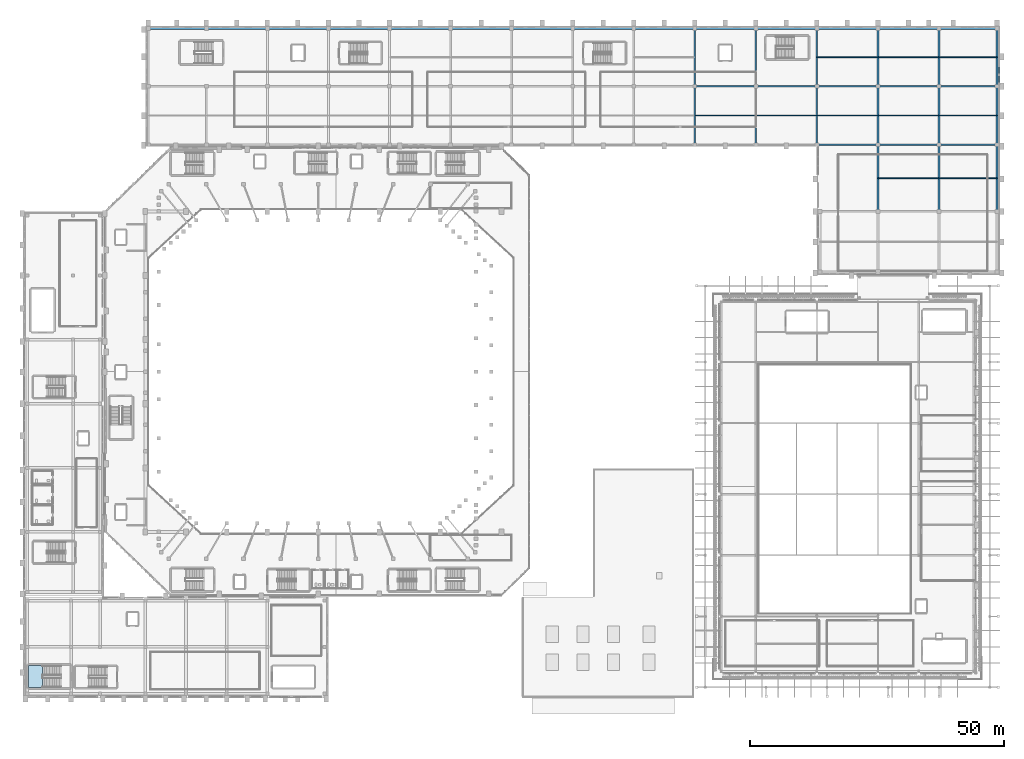
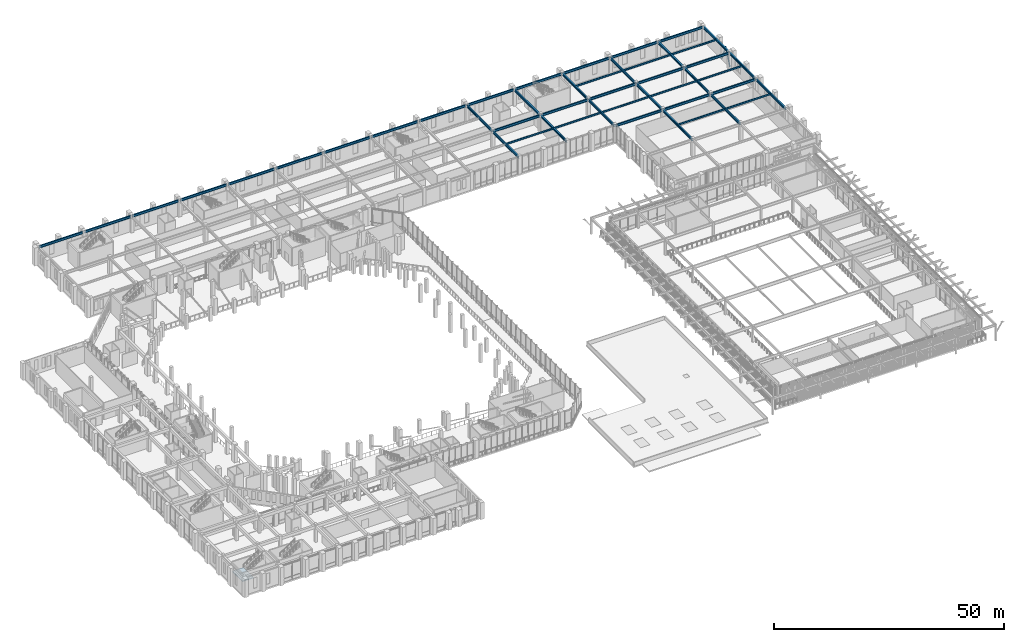
# One storey, part 64 of 126: 47 beams, 2 members, 1 slab, 1 element without a shape of its own.
"""IFC4 building model written with IfcOpenShell, lengths in metres."""

from ifc_helpers import new_model, si_unit, derived_unit, direction, frame, origin, origin_2d, place, context, subcontext, project, spatial, polyline, hollow_rectangle, i_section, outline, extrude, material, layer, layer_set, material_profile, profile_set, type_object, element, aggregate, save


model = new_model("IFC4")

# Units and contexts
model_context = context("Model", 3, precision=1e-05, world=origin(), true_north=direction((0.0, 1.0)))
body_context = subcontext(model_context, "Body", "Model", "MODEL_VIEW")
ifc_project = project(units=[si_unit("LENGTHUNIT", "METRE"), si_unit("AREAUNIT", "SQUARE_METRE"), si_unit("VOLUMEUNIT", "CUBIC_METRE"), si_unit("PLANEANGLEUNIT", "RADIAN"), si_unit("MASSUNIT", "GRAM", prefix="KILO"), derived_unit("THERMALTRANSMITTANCEUNIT", [(si_unit("MASSUNIT", "GRAM", prefix="KILO"), 1), (si_unit("TIMEUNIT", "SECOND"), -3), (si_unit("THERMODYNAMICTEMPERATUREUNIT", "KELVIN"), -1)])], contexts=[model_context])

# Site, building, storey
site_placement = place(None, origin())
site = spatial("IfcSite", under=ifc_project, at=site_placement, CompositionType="ELEMENT")
building_placement = place(site_placement, origin())
building = spatial("IfcBuilding", under=site, at=building_placement, Name="Valcora Ridge Arena", CompositionType="ELEMENT")
storey_placement = place(building_placement, frame((0.0, 0.0, 11.39990234375)))
storey = spatial("IfcBuildingStorey", under=building, at=storey_placement, Name="L02", CompositionType="ELEMENT", Elevation=11.39990234375)

# Beams
ifc_material_1 = material(Name="Steel ASTM A572 Grade 50", Category="steel")
ifc_material_profile_1 = material_profile(ifc_material_1, i_section(OverallWidth=0.324951171875, OverallDepth=0.612060546875, WebThickness=0.0126953125, FlangeThickness=0.01904296875, FilletRadius=0.01806640625, at=origin_2d()), Name="W24X104")
ifc_profile_set_1 = profile_set([ifc_material_profile_1], Name="Steel ASTM A572 Grade 50")
beam_type_1 = type_object("IfcBeamType", Name="TY-BEAM-G-W24X104-X", PredefinedType="BEAM", material=ifc_profile_set_1)
for number, where, z_axis, x_axis, name in (
    (1, (156.139892578125, 108.699951171875, 4.14404296875), (1.0, 0.0, 0.0), (0.0, 1.0, 0.0), "G-W24X104-X BEM-G-W24X104-X-0077"),
    (2, (168.139892578125, 108.699951171875, 4.14404296875), (1.0, 0.0, 0.0), (0.0, 1.0, 0.0), "G-W24X104-X BEM-G-W24X104-X-0078"),
):
    element("IfcBeam", number, at=place(storey_placement, frame(where, z_axis=z_axis, x_axis=x_axis)), inside=storey, type_object=beam_type_1, Name=name, PredefinedType="BEAM", context=body_context, shape_type="SweptSolid", body=[
        extrude(i_section(OverallWidth=0.324951171875, OverallDepth=0.612060546875, WebThickness=0.0126953125, FlangeThickness=0.01904296875, FilletRadius=0.01806640625, at=origin_2d()), origin(), (0.0, 0.0, 1.0), 11.72021484375),
    ])
beam_1_placement = place(storey_placement, frame((180.139892578125, 108.699951171875, 4.14404296875), z_axis=(1.0, 0.0, 0.0), x_axis=(0.0, 1.0, 0.0)))
element("IfcBeam", 3, at=beam_1_placement, inside=storey, type_object=beam_type_1, Name="G-W24X104-X BEM-G-W24X104-X-0079", PredefinedType="BEAM", context=body_context, shape_type="SweptSolid", body=[
    extrude(i_section(OverallWidth=0.324951171875, OverallDepth=0.612060546875, WebThickness=0.0126953125, FlangeThickness=0.01904296875, FilletRadius=0.01806640625, at=origin_2d()), origin(), (0.0, 0.0, 1.0), 11.1201171875),
])
for number, where, z_axis, x_axis, name in (
    (4, (132.139892578125, 120.199951171875, 4.14404296875), (1.0, 0.0, 0.0), (0.0, 1.0, 0.0), "G-W24X104-X BEM-G-W24X104-X-0089"),
    (5, (144.139892578125, 120.199951171875, 4.14404296875), (1.0, 0.0, 0.0), (0.0, 1.0, 0.0), "G-W24X104-X BEM-G-W24X104-X-0090"),
    (6, (156.139892578125, 120.199951171875, 4.14404296875), (1.0, 0.0, 0.0), (0.0, 1.0, 0.0), "G-W24X104-X BEM-G-W24X104-X-0091"),
    (7, (168.139892578125, 120.199951171875, 4.14404296875), (1.0, 0.0, 0.0), (0.0, 1.0, 0.0), "G-W24X104-X BEM-G-W24X104-X-0092"),
):
    element("IfcBeam", number, at=place(storey_placement, frame(where, z_axis=z_axis, x_axis=x_axis)), inside=storey, type_object=beam_type_1, Name=name, PredefinedType="BEAM", context=body_context, shape_type="SweptSolid", body=[
        extrude(i_section(OverallWidth=0.324951171875, OverallDepth=0.612060546875, WebThickness=0.0126953125, FlangeThickness=0.01904296875, FilletRadius=0.01806640625, at=origin_2d()), origin(), (0.0, 0.0, 1.0), 11.72021484375),
    ])
beam_2_placement = place(storey_placement, frame((180.139892578125, 120.199951171875, 4.14404296875), z_axis=(1.0, 0.0, 0.0), x_axis=(0.0, 1.0, 0.0)))
element("IfcBeam", 8, at=beam_2_placement, inside=storey, type_object=beam_type_1, Name="G-W24X104-X BEM-G-W24X104-X-0093", PredefinedType="BEAM", context=body_context, shape_type="SweptSolid", body=[
    extrude(i_section(OverallWidth=0.324951171875, OverallDepth=0.612060546875, WebThickness=0.0126953125, FlangeThickness=0.01904296875, FilletRadius=0.01806640625, at=origin_2d()), origin(), (0.0, 0.0, 1.0), 11.1201171875),
])
ifc_material_profile_2 = material_profile(ifc_material_1, i_section(OverallWidth=0.324951171875, OverallDepth=0.612060546875, WebThickness=0.0126953125, FlangeThickness=0.01904296875, FilletRadius=0.01806640625, at=origin_2d()), Name="W24X104")
ifc_profile_set_2 = profile_set([ifc_material_profile_2], Name="Steel ASTM A572 Grade 50")
beam_type_2 = type_object("IfcBeamType", Name="TY-BEAM-G-W24X104-Y", PredefinedType="BEAM", material=ifc_profile_set_2)
beam_3_placement = place(storey_placement, frame((132.0, 108.840087890625, 4.14404296875), z_axis=(0.0, 1.0, 0.0), x_axis=(-1.0, 0.0, 0.0)))
element("IfcBeam", 9, at=beam_3_placement, inside=storey, type_object=beam_type_2, Name="G-W24X104-Y BEM-G-W24X104-Y-0090", PredefinedType="BEAM", context=body_context, shape_type="SweptSolid", body=[
    extrude(i_section(OverallWidth=0.324951171875, OverallDepth=0.612060546875, WebThickness=0.0126953125, FlangeThickness=0.01904296875, FilletRadius=0.01806640625, at=origin_2d()), origin(), (0.0, 0.0, 1.0), 11.219970703125),
])
beam_4_placement = place(storey_placement, frame((132.0, 120.340087890625, 4.14404296875), z_axis=(0.0, 1.0, 0.0), x_axis=(-1.0, 0.0, 0.0)))
element("IfcBeam", 10, at=beam_4_placement, inside=storey, type_object=beam_type_2, Name="G-W24X104-Y BEM-G-W24X104-Y-0091", PredefinedType="BEAM", context=body_context, shape_type="SweptSolid", body=[
    extrude(i_section(OverallWidth=0.324951171875, OverallDepth=0.612060546875, WebThickness=0.0126953125, FlangeThickness=0.01904296875, FilletRadius=0.01806640625, at=origin_2d()), origin(), (0.0, 0.0, 1.0), 11.06982421875),
])
beam_5_placement = place(storey_placement, frame((144.0, 108.840087890625, 4.14404296875), z_axis=(0.0, 1.0, 0.0), x_axis=(-1.0, 0.0, 0.0)))
element("IfcBeam", 11, at=beam_5_placement, inside=storey, type_object=beam_type_2, Name="G-W24X104-Y BEM-G-W24X104-Y-0092", PredefinedType="BEAM", context=body_context, shape_type="SweptSolid", body=[
    extrude(i_section(OverallWidth=0.324951171875, OverallDepth=0.612060546875, WebThickness=0.0126953125, FlangeThickness=0.01904296875, FilletRadius=0.01806640625, at=origin_2d()), origin(), (0.0, 0.0, 1.0), 11.219970703125),
])
beam_6_placement = place(storey_placement, frame((144.0, 120.340087890625, 4.14404296875), z_axis=(0.0, 1.0, 0.0), x_axis=(-1.0, 0.0, 0.0)))
element("IfcBeam", 12, at=beam_6_placement, inside=storey, type_object=beam_type_2, Name="G-W24X104-Y BEM-G-W24X104-Y-0093", PredefinedType="BEAM", context=body_context, shape_type="SweptSolid", body=[
    extrude(i_section(OverallWidth=0.324951171875, OverallDepth=0.612060546875, WebThickness=0.0126953125, FlangeThickness=0.01904296875, FilletRadius=0.01806640625, at=origin_2d()), origin(), (0.0, 0.0, 1.0), 11.06982421875),
])
beam_7_placement = place(storey_placement, frame((156.0, 108.840087890625, 4.14404296875), z_axis=(0.0, 1.0, 0.0), x_axis=(-1.0, 0.0, 0.0)))
element("IfcBeam", 13, at=beam_7_placement, inside=storey, type_object=beam_type_2, Name="G-W24X104-Y BEM-G-W24X104-Y-0094", PredefinedType="BEAM", context=body_context, shape_type="SweptSolid", body=[
    extrude(i_section(OverallWidth=0.324951171875, OverallDepth=0.612060546875, WebThickness=0.0126953125, FlangeThickness=0.01904296875, FilletRadius=0.01806640625, at=origin_2d()), origin(), (0.0, 0.0, 1.0), 11.219970703125),
])
beam_8_placement = place(storey_placement, frame((156.0, 120.340087890625, 4.14404296875), z_axis=(0.0, 1.0, 0.0), x_axis=(-1.0, 0.0, 0.0)))
element("IfcBeam", 14, at=beam_8_placement, inside=storey, type_object=beam_type_2, Name="G-W24X104-Y BEM-G-W24X104-Y-0095", PredefinedType="BEAM", context=body_context, shape_type="SweptSolid", body=[
    extrude(i_section(OverallWidth=0.324951171875, OverallDepth=0.612060546875, WebThickness=0.0126953125, FlangeThickness=0.01904296875, FilletRadius=0.01806640625, at=origin_2d()), origin(), (0.0, 0.0, 1.0), 11.06982421875),
])
beam_9_placement = place(storey_placement, frame((168.0, 95.739990234375, 4.14404296875), z_axis=(0.0, 1.0, 0.0), x_axis=(-1.0, 0.0, 0.0)))
element("IfcBeam", 15, at=beam_9_placement, inside=storey, type_object=beam_type_2, Name="G-W24X104-Y BEM-G-W24X104-Y-0098", PredefinedType="BEAM", context=body_context, shape_type="SweptSolid", body=[
    extrude(i_section(OverallWidth=0.324951171875, OverallDepth=0.612060546875, WebThickness=0.0126953125, FlangeThickness=0.01904296875, FilletRadius=0.01806640625, at=origin_2d()), origin(), (0.0, 0.0, 1.0), 12.820068359375),
])
beam_10_placement = place(storey_placement, frame((168.0, 108.840087890625, 4.14404296875), z_axis=(0.0, 1.0, 0.0), x_axis=(-1.0, 0.0, 0.0)))
element("IfcBeam", 16, at=beam_10_placement, inside=storey, type_object=beam_type_2, Name="G-W24X104-Y BEM-G-W24X104-Y-0099", PredefinedType="BEAM", context=body_context, shape_type="SweptSolid", body=[
    extrude(i_section(OverallWidth=0.324951171875, OverallDepth=0.612060546875, WebThickness=0.0126953125, FlangeThickness=0.01904296875, FilletRadius=0.01806640625, at=origin_2d()), origin(), (0.0, 0.0, 1.0), 11.219970703125),
])
beam_11_placement = place(storey_placement, frame((168.0, 120.340087890625, 4.14404296875), z_axis=(0.0, 1.0, 0.0), x_axis=(-1.0, 0.0, 0.0)))
element("IfcBeam", 17, at=beam_11_placement, inside=storey, type_object=beam_type_2, Name="G-W24X104-Y BEM-G-W24X104-Y-0100", PredefinedType="BEAM", context=body_context, shape_type="SweptSolid", body=[
    extrude(i_section(OverallWidth=0.324951171875, OverallDepth=0.612060546875, WebThickness=0.0126953125, FlangeThickness=0.01904296875, FilletRadius=0.01806640625, at=origin_2d()), origin(), (0.0, 0.0, 1.0), 11.06982421875),
])
beam_12_placement = place(storey_placement, frame((180.0, 95.739990234375, 4.14404296875), z_axis=(0.0, 1.0, 0.0), x_axis=(-1.0, 0.0, 0.0)))
element("IfcBeam", 18, at=beam_12_placement, inside=storey, type_object=beam_type_2, Name="G-W24X104-Y BEM-G-W24X104-Y-0102", PredefinedType="BEAM", context=body_context, shape_type="SweptSolid", body=[
    extrude(i_section(OverallWidth=0.324951171875, OverallDepth=0.612060546875, WebThickness=0.0126953125, FlangeThickness=0.01904296875, FilletRadius=0.01806640625, at=origin_2d()), origin(), (0.0, 0.0, 1.0), 12.820068359375),
])
beam_13_placement = place(storey_placement, frame((180.0, 108.840087890625, 4.14404296875), z_axis=(0.0, 1.0, 0.0), x_axis=(-1.0, 0.0, 0.0)))
element("IfcBeam", 19, at=beam_13_placement, inside=storey, type_object=beam_type_2, Name="G-W24X104-Y BEM-G-W24X104-Y-0103", PredefinedType="BEAM", context=body_context, shape_type="SweptSolid", body=[
    extrude(i_section(OverallWidth=0.324951171875, OverallDepth=0.612060546875, WebThickness=0.0126953125, FlangeThickness=0.01904296875, FilletRadius=0.01806640625, at=origin_2d()), origin(), (0.0, 0.0, 1.0), 11.219970703125),
])
beam_14_placement = place(storey_placement, frame((180.0, 120.340087890625, 4.14404296875), z_axis=(0.0, 1.0, 0.0), x_axis=(-1.0, 0.0, 0.0)))
element("IfcBeam", 20, at=beam_14_placement, inside=storey, type_object=beam_type_2, Name="G-W24X104-Y BEM-G-W24X104-Y-0104", PredefinedType="BEAM", context=body_context, shape_type="SweptSolid", body=[
    extrude(i_section(OverallWidth=0.324951171875, OverallDepth=0.612060546875, WebThickness=0.0126953125, FlangeThickness=0.01904296875, FilletRadius=0.01806640625, at=origin_2d()), origin(), (0.0, 0.0, 1.0), 11.06982421875),
])
beam_15_placement = place(storey_placement, frame((191.39990234375, 95.739990234375, 4.14404296875), z_axis=(0.0, 1.0, 0.0), x_axis=(-1.0, 0.0, 0.0)))
element("IfcBeam", 21, at=beam_15_placement, inside=storey, type_object=beam_type_2, Name="G-W24X104-Y BEM-G-W24X104-Y-0106", PredefinedType="BEAM", context=body_context, shape_type="SweptSolid", body=[
    extrude(i_section(OverallWidth=0.324951171875, OverallDepth=0.612060546875, WebThickness=0.0126953125, FlangeThickness=0.01904296875, FilletRadius=0.01806640625, at=origin_2d()), origin(), (0.0, 0.0, 1.0), 12.820068359375),
])
beam_16_placement = place(storey_placement, frame((191.39990234375, 108.840087890625, 4.14404296875), z_axis=(0.0, 1.0, 0.0), x_axis=(-1.0, 0.0, 0.0)))
element("IfcBeam", 22, at=beam_16_placement, inside=storey, type_object=beam_type_2, Name="G-W24X104-Y BEM-G-W24X104-Y-0107", PredefinedType="BEAM", context=body_context, shape_type="SweptSolid", body=[
    extrude(i_section(OverallWidth=0.324951171875, OverallDepth=0.612060546875, WebThickness=0.0126953125, FlangeThickness=0.01904296875, FilletRadius=0.01806640625, at=origin_2d()), origin(), (0.0, 0.0, 1.0), 11.219970703125),
])
beam_17_placement = place(storey_placement, frame((191.39990234375, 120.340087890625, 4.14404296875), z_axis=(0.0, 1.0, 0.0), x_axis=(-1.0, 0.0, 0.0)))
element("IfcBeam", 23, at=beam_17_placement, inside=storey, type_object=beam_type_2, Name="G-W24X104-Y BEM-G-W24X104-Y-0108", PredefinedType="BEAM", context=body_context, shape_type="SweptSolid", body=[
    extrude(i_section(OverallWidth=0.324951171875, OverallDepth=0.612060546875, WebThickness=0.0126953125, FlangeThickness=0.01904296875, FilletRadius=0.01806640625, at=origin_2d()), origin(), (0.0, 0.0, 1.0), 11.06982421875),
])
ifc_material_profile_3 = material_profile(ifc_material_1, i_section(OverallWidth=0.18994140625, OverallDepth=0.45703125, WebThickness=0.009033203125, FlangeThickness=0.014404296875, FilletRadius=0.014892578125, at=origin_2d()), Name="W18X50")
ifc_profile_set_3 = profile_set([ifc_material_profile_3], Name="Steel ASTM A572 Grade 50")
beam_type_3 = type_object("IfcBeamType", Name="TY-BEAM-J-W18X50", PredefinedType="JOIST", material=ifc_profile_set_3)
for number, where, z_axis, x_axis, name in (
    (24, (132.10009765625, 114.449951171875, 4.2216796875), (1.0, 0.0, 0.0), (0.0, 1.0, 0.0), "J-W18X50 BEM-J-W18X50-0066"),
    (25, (144.10009765625, 114.449951171875, 4.2216796875), (1.0, 0.0, 0.0), (0.0, 1.0, 0.0), "J-W18X50 BEM-J-W18X50-0067"),
    (26, (156.10009765625, 114.449951171875, 4.2216796875), (1.0, 0.0, 0.0), (0.0, 1.0, 0.0), "J-W18X50 BEM-J-W18X50-0068"),
    (27, (156.10009765625, 125.875, 4.2216796875), (1.0, 0.0, 0.0), (0.0, 1.0, 0.0), "J-W18X50 BEM-J-W18X50-0069"),
    (28, (168.10009765625, 102.14990234375, 4.2216796875), (1.0, 0.0, 0.0), (0.0, 1.0, 0.0), "J-W18X50 BEM-J-W18X50-0072"),
    (29, (168.10009765625, 114.449951171875, 4.2216796875), (1.0, 0.0, 0.0), (0.0, 1.0, 0.0), "J-W18X50 BEM-J-W18X50-0073"),
    (30, (168.10009765625, 125.875, 4.2216796875), (1.0, 0.0, 0.0), (0.0, 1.0, 0.0), "J-W18X50 BEM-J-W18X50-0074"),
):
    element("IfcBeam", number, at=place(storey_placement, frame(where, z_axis=z_axis, x_axis=x_axis)), inside=storey, type_object=beam_type_3, Name=name, PredefinedType="JOIST", context=body_context, shape_type="SweptSolid", body=[
        extrude(i_section(OverallWidth=0.18994140625, OverallDepth=0.45703125, WebThickness=0.009033203125, FlangeThickness=0.014404296875, FilletRadius=0.014892578125, at=origin_2d()), origin(), (0.0, 0.0, 1.0), 11.7998046875),
    ])
for number, where, z_axis, x_axis, name in (
    (31, (180.10009765625, 102.14990234375, 4.2216796875), (1.0, 0.0, 0.0), (0.0, 1.0, 0.0), "J-W18X50 BEM-J-W18X50-0076"),
    (32, (180.10009765625, 114.449951171875, 4.2216796875), (1.0, 0.0, 0.0), (0.0, 1.0, 0.0), "J-W18X50 BEM-J-W18X50-0077"),
    (33, (180.10009765625, 125.875, 4.2216796875), (1.0, 0.0, 0.0), (0.0, 1.0, 0.0), "J-W18X50 BEM-J-W18X50-0078"),
):
    element("IfcBeam", number, at=place(storey_placement, frame(where, z_axis=z_axis, x_axis=x_axis)), inside=storey, type_object=beam_type_3, Name=name, PredefinedType="JOIST", context=body_context, shape_type="SweptSolid", body=[
        extrude(i_section(OverallWidth=0.18994140625, OverallDepth=0.45703125, WebThickness=0.009033203125, FlangeThickness=0.014404296875, FilletRadius=0.014892578125, at=origin_2d()), origin(), (0.0, 0.0, 1.0), 11.199951171875),
    ])
ifc_material_profile_4 = material_profile(ifc_material_1, i_section(OverallWidth=0.324951171875, OverallDepth=0.612060546875, WebThickness=0.0126953125, FlangeThickness=0.01904296875, FilletRadius=0.01806640625, at=origin_2d()), Name="W24X104")
ifc_profile_set_4 = profile_set([ifc_material_profile_4], Name="Steel ASTM A572 Grade 50")
beam_type_4 = type_object("IfcBeamType", Name="TY-BEAM-SP-W24X104", PredefinedType="SPANDREL", material=ifc_profile_set_4)
beam_18_placement = place(storey_placement, frame((24.739990234375, 131.550048828125, 4.14404296875), z_axis=(1.0, 0.0, 0.0), x_axis=(0.0, 1.0, 0.0)))
element("IfcBeam", 34, at=beam_18_placement, inside=storey, type_object=beam_type_4, Name="SP-W24X104 BEM-SP-W24X104-0038", PredefinedType="SPANDREL", context=body_context, shape_type="SweptSolid", body=[
    extrude(i_section(OverallWidth=0.324951171875, OverallDepth=0.612060546875, WebThickness=0.0126953125, FlangeThickness=0.01904296875, FilletRadius=0.01806640625, at=origin_2d()), origin(), (0.0, 0.0, 1.0), 11.1201171875),
])
for number, where, z_axis, x_axis, name in (
    (35, (36.139892578125, 131.550048828125, 4.14404296875), (1.0, 0.0, 0.0), (0.0, 1.0, 0.0), "SP-W24X104 BEM-SP-W24X104-0039"),
    (36, (48.139892578125, 131.550048828125, 4.14404296875), (1.0, 0.0, 0.0), (0.0, 1.0, 0.0), "SP-W24X104 BEM-SP-W24X104-0040"),
    (37, (60.139892578125, 131.550048828125, 4.14404296875), (1.0, 0.0, 0.0), (0.0, 1.0, 0.0), "SP-W24X104 BEM-SP-W24X104-0041"),
    (38, (72.139892578125, 131.550048828125, 4.14404296875), (1.0, 0.0, 0.0), (0.0, 1.0, 0.0), "SP-W24X104 BEM-SP-W24X104-0042"),
    (39, (84.139892578125, 131.550048828125, 4.14404296875), (1.0, 0.0, 0.0), (0.0, 1.0, 0.0), "SP-W24X104 BEM-SP-W24X104-0043"),
    (40, (96.139892578125, 131.550048828125, 4.14404296875), (1.0, 0.0, 0.0), (0.0, 1.0, 0.0), "SP-W24X104 BEM-SP-W24X104-0044"),
    (41, (108.139892578125, 131.550048828125, 4.14404296875), (1.0, 0.0, 0.0), (0.0, 1.0, 0.0), "SP-W24X104 BEM-SP-W24X104-0045"),
    (42, (120.139892578125, 131.550048828125, 4.14404296875), (1.0, 0.0, 0.0), (0.0, 1.0, 0.0), "SP-W24X104 BEM-SP-W24X104-0046"),
    (43, (132.139892578125, 131.550048828125, 4.14404296875), (1.0, 0.0, 0.0), (0.0, 1.0, 0.0), "SP-W24X104 BEM-SP-W24X104-0047"),
    (44, (144.139892578125, 131.550048828125, 4.14404296875), (1.0, 0.0, 0.0), (0.0, 1.0, 0.0), "SP-W24X104 BEM-SP-W24X104-0048"),
    (45, (156.139892578125, 131.550048828125, 4.14404296875), (1.0, 0.0, 0.0), (0.0, 1.0, 0.0), "SP-W24X104 BEM-SP-W24X104-0049"),
    (46, (168.139892578125, 131.550048828125, 4.14404296875), (1.0, 0.0, 0.0), (0.0, 1.0, 0.0), "SP-W24X104 BEM-SP-W24X104-0050"),
):
    element("IfcBeam", number, at=place(storey_placement, frame(where, z_axis=z_axis, x_axis=x_axis)), inside=storey, type_object=beam_type_4, Name=name, PredefinedType="SPANDREL", context=body_context, shape_type="SweptSolid", body=[
        extrude(i_section(OverallWidth=0.324951171875, OverallDepth=0.612060546875, WebThickness=0.0126953125, FlangeThickness=0.01904296875, FilletRadius=0.01806640625, at=origin_2d()), origin(), (0.0, 0.0, 1.0), 11.72021484375),
    ])
beam_19_placement = place(storey_placement, frame((180.139892578125, 131.550048828125, 4.14404296875), z_axis=(1.0, 0.0, 0.0), x_axis=(0.0, 1.0, 0.0)))
element("IfcBeam", 47, at=beam_19_placement, inside=storey, type_object=beam_type_4, Name="SP-W24X104 BEM-SP-W24X104-0051", PredefinedType="SPANDREL", context=body_context, shape_type="SweptSolid", body=[
    extrude(i_section(OverallWidth=0.324951171875, OverallDepth=0.612060546875, WebThickness=0.0126953125, FlangeThickness=0.01904296875, FilletRadius=0.01806640625, at=origin_2d()), origin(), (0.0, 0.0, 1.0), 11.1201171875),
])

# Members
ifc_material_2 = material(Name="Steel ASTM A500 Grade C", Category="steel")
ifc_material_profile_5 = material_profile(ifc_material_2, hollow_rectangle(XDim=0.14990234375, YDim=0.14990234375, WallThickness=0.010009765625, at=origin_2d()), Name="HSS150X150X10")
ifc_profile_set_5 = profile_set([ifc_material_profile_5], Name="Steel ASTM A500 Grade C")
member_type_1 = type_object("IfcMemberType", Name="TY-MEMBER-CBF-150A", PredefinedType="BRACE", material=ifc_profile_set_5)
member_1_placement = place(storey_placement, frame((191.780029296875, 120.699951171875, 0.02001953125), z_axis=(0.0, 0.37922193235, 0.925305747321), x_axis=(-1.0, 0.0, 0.0)))
element("IfcMember", 48, at=member_1_placement, inside=storey, type_object=member_type_1, Name="CBF-150A Diagonal Brace", PredefinedType="BRACE", context=body_context, shape_type="SweptSolid", body=[
    extrude(hollow_rectangle(XDim=0.14990234375, YDim=0.14990234375, WallThickness=0.010009765625, at=origin_2d()), origin(), (0.0, 0.0, 1.0), 4.61474609375),
])
ifc_material_profile_6 = material_profile(ifc_material_2, hollow_rectangle(XDim=0.14990234375, YDim=0.14990234375, WallThickness=0.010009765625, at=origin_2d()), Name="HSS150X150X10")
ifc_profile_set_6 = profile_set([ifc_material_profile_6], Name="Steel ASTM A500 Grade C")
member_type_2 = type_object("IfcMemberType", Name="TY-MEMBER-CBF-150B", PredefinedType="BRACE", material=ifc_profile_set_6)
member_2_placement = place(storey_placement, frame((191.780029296875, 124.199951171875, 0.02001953125), z_axis=(0.0, -0.37922193235, 0.925305747321), x_axis=(1.0, 0.0, 0.0)))
element("IfcMember", 49, at=member_2_placement, inside=storey, type_object=member_type_2, Name="CBF-150B Diagonal Brace", PredefinedType="BRACE", context=body_context, shape_type="SweptSolid", body=[
    extrude(hollow_rectangle(XDim=0.14990234375, YDim=0.14990234375, WallThickness=0.010009765625, at=origin_2d()), origin(), (0.0, 0.0, 1.0), 4.61474609375),
])

# Stair, slab
ifc_material_3 = material(Name="Concrete C40/50", Category="concrete")
stair_type = type_object("IfcStairType", Name="TY-STAIR-ST07-48", PredefinedType="HALF_TURN_STAIR", material=ifc_material_3)
stair_placement = place(storey_placement, origin())
stair = element("IfcStair", 50, at=stair_placement, inside=storey, type_object=stair_type, Name="ST07-48 STR-CR-0033", PredefinedType="HALF_TURN_STAIR")
ifc_layer = layer(ifc_material_3, 0.199951171875, Name="Concrete C40/50")
ifc_layer_set = layer_set([ifc_layer], Name="Concrete C40/50")
slab_type = type_object("IfcSlabType", Name="TY-LAND-ST07-48", PredefinedType="LANDING", material=ifc_layer_set)
slab_placement = place(storey_placement, frame((0.0, 0.0, 2.2001953125)))
slab = element("IfcSlab", 51, at=slab_placement, type_object=slab_type, Name="ST07-48 landing 1", PredefinedType="LANDING", context=body_context, shape_type="SweptSolid", body=[
    extrude(outline(polyline([(1.001953125, 2.001953125), (3.7900390625, 2.001953125), (3.7900390625, 6.39794921875), (1.001953125, 6.39794921875), (1.001953125, 2.001953125)])), origin(), (0.0, 0.0, 1.0), 0.199951171875),
])
aggregate(stair, [slab])

save(model, "model.ifc")
